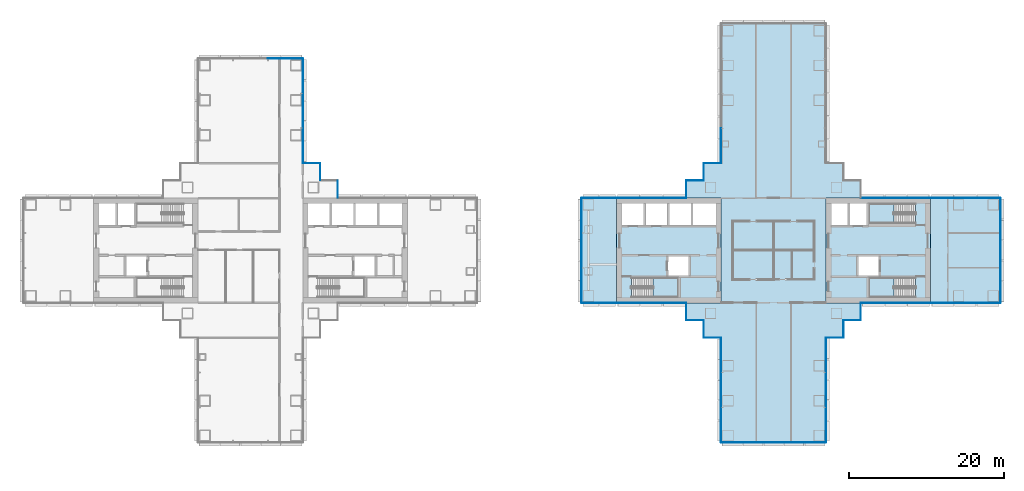
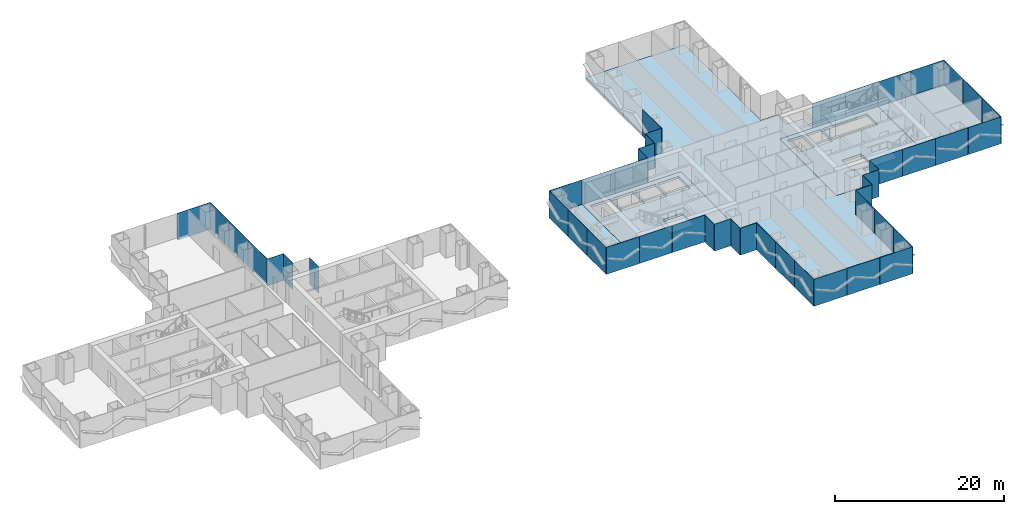
# One storey, part 11 of 21: 49 plates, 8 slabs, 23 elements without a shape of their own.
"""IFC4 building model written with IfcOpenShell, lengths in metres."""

from ifc_helpers import new_model, si_unit, direction, frame, origin, origin_2d, place, context, subcontext, project, spatial, polyline, rectangle, outline, extrude, material, layer, layer_set, type_object, element, aggregate, save


model = new_model("IFC4")

# Units and contexts
model_context = context("Model", 3, precision=1e-05, world=origin(), true_north=direction((0.0, 1.0)))
body_context = subcontext(model_context, "Body", "Model", "MODEL_VIEW")
ifc_project = project(units=[si_unit("LENGTHUNIT", "METRE"), si_unit("AREAUNIT", "SQUARE_METRE"), si_unit("VOLUMEUNIT", "CUBIC_METRE"), si_unit("PLANEANGLEUNIT", "RADIAN"), si_unit("MASSUNIT", "GRAM", prefix="KILO")], contexts=[model_context])

# Site, building, storey
site_placement = place(None, origin())
site = spatial("IfcSite", under=ifc_project, at=site_placement, CompositionType="ELEMENT")
building_placement = place(site_placement, origin())
building = spatial("IfcBuilding", under=site, at=building_placement, Name="Shamsa Quay Exchange Towers", CompositionType="ELEMENT")
storey_placement = place(building_placement, frame((0.0, 0.0, 57.60009765625)))
storey = spatial("IfcBuildingStorey", under=building, at=storey_placement, Name="L12", CompositionType="ELEMENT", Elevation=57.60009765625)

# Slabs
ifc_material_1 = material(Name="Concrete C50/60", Category="concrete")
ifc_layer_1 = layer(ifc_material_1, 0.35009765625)
ifc_layer_set_1 = layer_set([ifc_layer_1], Name="CORE FLOOR 350 C50/60")
slab_type_1 = type_object("IfcSlabType", Name="CORE FLOOR 350 C50/60", PredefinedType="FLOOR", material=ifc_layer_set_1)
slab_1_placement = place(storey_placement, frame((0.0, 0.0, -0.35009765625)))
element("IfcSlab", 1, at=slab_1_placement, inside=storey, type_object=slab_type_1, Name="Core floor T2A", PredefinedType="FLOOR", context=body_context, shape_type="SweptSolid", body=[
    extrude(outline(polyline([(13.5, -6.75), (27.0, -6.75), (27.0, 6.75), (13.5, 6.75), (13.5, -6.75)]), holes=[polyline([(15.400634765625, -6.050048828125), (15.400634765625, -3.5), (21.5, -3.5), (21.5, -6.050048828125), (15.400634765625, -6.050048828125)]), polyline([(14.199951171875, 3.25), (14.199951171875, 6.050048828125), (17.0, 6.050048828125), (17.0, 3.25), (14.199951171875, 3.25)]), polyline([(17.25, 3.25), (17.25, 6.050048828125), (20.050048828125, 6.050048828125), (20.050048828125, 3.25), (17.25, 3.25)]), polyline([(20.300048828125, 3.25), (20.300048828125, 6.050048828125), (23.10009765625, 6.050048828125), (23.10009765625, 3.25), (20.300048828125, 3.25)]), polyline([(23.35009765625, 3.25), (23.35009765625, 6.050048828125), (26.300048828125, 6.050048828125), (26.300048828125, 3.25), (23.35009765625, 3.25)]), polyline([(20.14990234375, -3.25), (20.14990234375, -0.75), (22.800048828125, -0.75), (22.800048828125, -3.25), (20.14990234375, -3.25)])]), origin(), (0.0, 0.0, 1.0), 0.35009765625),
])
slab_2_placement = place(storey_placement, frame((0.0, 0.0, -0.35009765625)))
element("IfcSlab", 2, at=slab_2_placement, inside=storey, type_object=slab_type_1, Name="Core floor T2B", PredefinedType="FLOOR", context=body_context, shape_type="SweptSolid", body=[
    extrude(outline(polyline([(54.0, -6.75), (54.0, 6.75), (40.5, 6.75), (40.5, -6.75), (54.0, -6.75)]), holes=[polyline([(52.099365234375, -3.5), (52.099365234375, -6.050048828125), (46.0, -6.050048828125), (46.0, -3.5), (52.099365234375, -3.5)]), polyline([(52.099365234375, 6.050048828125), (52.099365234375, 3.5), (46.0, 3.5), (46.0, 6.050048828125), (52.099365234375, 6.050048828125)]), polyline([(45.75, 3.25), (43.60009765625, 3.25), (43.60009765625, 6.050048828125), (45.75, 6.050048828125), (45.75, 3.25)]), polyline([(43.35009765625, 3.25), (41.199951171875, 3.25), (41.199951171875, 6.050048828125), (43.35009765625, 6.050048828125), (43.35009765625, 3.25)]), polyline([(47.35009765625, -3.25), (44.699951171875, -3.25), (44.699951171875, -0.75), (47.35009765625, -0.75), (47.35009765625, -3.25)])]), origin(), (0.0, 0.0, 1.0), 0.35009765625),
])

# Stair, slab
ifc_material_2 = material(Name="Concrete C40/50", Category="concrete")
stair_type = type_object("IfcStairType", Name="EXIT STAIR 22 RISERS 177 MM", PredefinedType="HALF_TURN_STAIR", material=ifc_material_2)
stair_1_placement = place(storey_placement, origin())
stair_1 = element("IfcStair", 3, at=stair_1_placement, inside=storey, type_object=stair_type, Name="L12 Exit stair ST4", PredefinedType="HALF_TURN_STAIR")
ifc_layer_2 = layer(ifc_material_2, 0.199951171875)
ifc_layer_set_2 = layer_set([ifc_layer_2], Name="CORE STAIR LANDING")
slab_type_2 = type_object("IfcSlabType", Name="CORE STAIR LANDING", PredefinedType="LANDING", material=ifc_layer_set_2)
slab_3_placement = place(storey_placement, frame((0.0, 0.0, 1.75)))
slab_3 = element("IfcSlab", 4, at=slab_3_placement, type_object=slab_type_2, Name="ST4 landing 1", PredefinedType="LANDING", context=body_context, shape_type="SweptSolid", body=[
    extrude(outline(polyline([(18.199951171875, -6.050048828125), (21.5, -6.050048828125), (21.5, -3.5), (18.199951171875, -3.5), (18.199951171875, -6.050048828125)])), origin(), (0.0, 0.0, 1.0), 0.199951171875),
])
aggregate(stair_1, [slab_3])

stair_2_placement = place(storey_placement, origin())
stair_2 = element("IfcStair", 5, at=stair_2_placement, inside=storey, type_object=stair_type, Name="L12 Exit stair ST5", PredefinedType="HALF_TURN_STAIR")
slab_4_placement = place(storey_placement, frame((0.0, 0.0, 1.75)))
slab_4 = element("IfcSlab", 6, at=slab_4_placement, type_object=slab_type_2, Name="ST5 landing 1", PredefinedType="LANDING", context=body_context, shape_type="SweptSolid", body=[
    extrude(outline(polyline([(49.300048828125, -3.5), (46.0, -3.5), (46.0, -6.050048828125), (49.300048828125, -6.050048828125), (49.300048828125, -3.5)])), origin(), (0.0, 0.0, 1.0), 0.199951171875),
])
aggregate(stair_2, [slab_4])

stair_3_placement = place(storey_placement, origin())
stair_3 = element("IfcStair", 7, at=stair_3_placement, inside=storey, type_object=stair_type, Name="L12 Exit stair ST6", PredefinedType="HALF_TURN_STAIR")
slab_5_placement = place(storey_placement, frame((0.0, 0.0, 1.75)))
slab_5 = element("IfcSlab", 8, at=slab_5_placement, type_object=slab_type_2, Name="ST6 landing 1", PredefinedType="LANDING", context=body_context, shape_type="SweptSolid", body=[
    extrude(outline(polyline([(49.300048828125, 6.050048828125), (46.0, 6.050048828125), (46.0, 3.5), (49.300048828125, 3.5), (49.300048828125, 6.050048828125)])), origin(), (0.0, 0.0, 1.0), 0.199951171875),
])
aggregate(stair_3, [slab_5])

# Curtain wall, plates
ifc_material_3 = material(Name="Aluminium EN AW-6063 T6, black anodised", Category="aluminium")
ifc_layer_3 = layer(ifc_material_3, 0.280029296875)
ifc_layer_set_3 = layer_set([ifc_layer_3], Name="CW-1 UNITISED VISION GLASS")
curtain_wall_type_1 = type_object("IfcCurtainWallType", Name="CW-1 UNITISED VISION GLASS", PredefinedType="NOTDEFINED", material=ifc_layer_set_3)
curtain_wall_1_placement = place(storey_placement, origin())
curtain_wall_1 = element("IfcCurtainWall", 9, at=curtain_wall_1_placement, inside=storey, type_object=curtain_wall_type_1, Name="CW1 T1-FLK-V+E L12", PredefinedType="NOTDEFINED")
ifc_material_4 = material(Name="Glass, laminated, dark tinted", Category="glass")
ifc_layer_4 = layer(ifc_material_4, 0.0400390625)
ifc_layer_set_4 = layer_set([ifc_layer_4], Name="CW-1 VISION GLASS 40")
plate_type_1 = type_object("IfcPlateType", Name="CW-1 VISION GLASS 40", PredefinedType="CURTAIN_PANEL", material=ifc_layer_set_4)
plate_1_placement = place(storey_placement, frame((-26.97998046875, 13.529052734375, -0.35009765625), z_axis=(0.0, 0.0, 1.0), x_axis=(0.0, 1.0, 0.0)))
plate_1 = element("IfcPlate", 10, at=plate_1_placement, type_object=plate_type_1, Name="CW1 glass panel", PredefinedType="CURTAIN_PANEL", context=body_context, shape_type="SweptSolid", body=[
    extrude(rectangle(XDim=4.482421875, YDim=0.0400390625, at=origin_2d()), origin(), (0.0, 0.0, 1.0), 3.89990234375),
])
plate_2_placement = place(storey_placement, frame((-26.97998046875, 18.01904296875, -0.35009765625), z_axis=(0.0, 0.0, 1.0), x_axis=(0.0, 1.0, 0.0)))
plate_2 = element("IfcPlate", 11, at=plate_2_placement, type_object=plate_type_1, Name="CW1 glass panel", PredefinedType="CURTAIN_PANEL", context=body_context, shape_type="SweptSolid", body=[
    extrude(rectangle(XDim=4.477294921875, YDim=0.0400390625, at=origin_2d()), origin(), (0.0, 0.0, 1.0), 3.89990234375),
])
plate_3_placement = place(storey_placement, frame((-26.97998046875, 22.5087890625, -0.35009765625), z_axis=(0.0, 0.0, 1.0), x_axis=(0.0, 1.0, 0.0)))
plate_3 = element("IfcPlate", 12, at=plate_3_placement, type_object=plate_type_1, Name="CW1 glass panel", PredefinedType="CURTAIN_PANEL", context=body_context, shape_type="SweptSolid", body=[
    extrude(rectangle(XDim=4.482421875, YDim=0.0400390625, at=origin_2d()), origin(), (0.0, 0.0, 1.0), 3.89990234375),
])
aggregate(curtain_wall_1, [plate_1, plate_2, plate_3])

# Curtain wall, plate
curtain_wall_2_placement = place(storey_placement, origin())
curtain_wall_2 = element("IfcCurtainWall", 13, at=curtain_wall_2_placement, inside=storey, type_object=curtain_wall_type_1, Name="CW1 T1-END-V+ L12", PredefinedType="NOTDEFINED")
plate_4_placement = place(storey_placement, frame((-29.24755859375, 24.77001953125, -0.35009765625), z_axis=(0.0, 0.0, 1.0), x_axis=(-1.0, 0.0, 0.0)))
plate_4 = element("IfcPlate", 14, at=plate_4_placement, type_object=plate_type_1, Name="CW1 glass panel", PredefinedType="CURTAIN_PANEL", context=body_context, shape_type="SweptSolid", body=[
    extrude(rectangle(XDim=4.4951171875, YDim=0.0400390625, at=origin_2d()), origin(), (0.0, 0.0, 1.0), 3.89990234375),
])
aggregate(curtain_wall_2, [plate_4])

# Curtain wall, plates
curtain_wall_3_placement = place(storey_placement, origin())
curtain_wall_3 = element("IfcCurtainWall", 15, at=curtain_wall_3_placement, inside=storey, type_object=curtain_wall_type_1, Name="CW1 T2-FLK-V-W L12", PredefinedType="NOTDEFINED")
plate_5_placement = place(storey_placement, frame((56.24755859375, -6.77001953125, -0.35009765625)))
plate_5 = element("IfcPlate", 16, at=plate_5_placement, type_object=plate_type_1, Name="CW1 glass panel", PredefinedType="CURTAIN_PANEL", context=body_context, shape_type="SweptSolid", body=[
    extrude(rectangle(XDim=4.4951171875, YDim=0.0400390625, at=origin_2d()), origin(), (0.0, 0.0, 1.0), 3.89990234375),
])
plate_6_placement = place(storey_placement, frame((60.75244140625, -6.77001953125, -0.35009765625)))
plate_6 = element("IfcPlate", 17, at=plate_6_placement, type_object=plate_type_1, Name="CW1 glass panel", PredefinedType="CURTAIN_PANEL", context=body_context, shape_type="SweptSolid", body=[
    extrude(rectangle(XDim=4.4951171875, YDim=0.0400390625, at=origin_2d()), origin(), (0.0, 0.0, 1.0), 3.89990234375),
])
aggregate(curtain_wall_3, [plate_5, plate_6])

curtain_wall_4_placement = place(storey_placement, origin())
curtain_wall_4 = element("IfcCurtainWall", 18, at=curtain_wall_4_placement, inside=storey, type_object=curtain_wall_type_1, Name="CW1 T2-END-V- L12", PredefinedType="NOTDEFINED")
plate_7_placement = place(storey_placement, frame((63.02001953125, -4.50244140625, -0.35009765625), z_axis=(0.0, 0.0, 1.0), x_axis=(0.0, 1.0, 0.0)))
plate_7 = element("IfcPlate", 19, at=plate_7_placement, type_object=plate_type_1, Name="CW1 glass panel", PredefinedType="CURTAIN_PANEL", context=body_context, shape_type="SweptSolid", body=[
    extrude(rectangle(XDim=4.4951171875, YDim=0.0400390625, at=origin_2d()), origin(), (0.0, 0.0, 1.0), 3.89990234375),
])
plate_8_placement = place(storey_placement, frame((63.02001953125, 0.0, -0.35009765625), z_axis=(0.0, 0.0, 1.0), x_axis=(0.0, 1.0, 0.0)))
plate_8 = element("IfcPlate", 20, at=plate_8_placement, type_object=plate_type_1, Name="CW1 glass panel", PredefinedType="CURTAIN_PANEL", context=body_context, shape_type="SweptSolid", body=[
    extrude(rectangle(XDim=4.489990234375, YDim=0.0400390625, at=origin_2d()), origin(), (0.0, 0.0, 1.0), 3.89990234375),
])
plate_9_placement = place(storey_placement, frame((63.02001953125, 4.50244140625, -0.35009765625), z_axis=(0.0, 0.0, 1.0), x_axis=(0.0, 1.0, 0.0)))
plate_9 = element("IfcPlate", 21, at=plate_9_placement, type_object=plate_type_1, Name="CW1 glass panel", PredefinedType="CURTAIN_PANEL", context=body_context, shape_type="SweptSolid", body=[
    extrude(rectangle(XDim=4.4951171875, YDim=0.0400390625, at=origin_2d()), origin(), (0.0, 0.0, 1.0), 3.89990234375),
])
aggregate(curtain_wall_4, [plate_7, plate_8, plate_9])

curtain_wall_5_placement = place(storey_placement, origin())
curtain_wall_5 = element("IfcCurtainWall", 22, at=curtain_wall_5_placement, inside=storey, type_object=curtain_wall_type_1, Name="CW1 T2-FLK-V-E L12", PredefinedType="NOTDEFINED")
plate_10_placement = place(storey_placement, frame((60.75244140625, 6.77001953125, -0.35009765625), z_axis=(0.0, 0.0, 1.0), x_axis=(-1.0, 0.0, 0.0)))
plate_10 = element("IfcPlate", 23, at=plate_10_placement, type_object=plate_type_1, Name="CW1 glass panel", PredefinedType="CURTAIN_PANEL", context=body_context, shape_type="SweptSolid", body=[
    extrude(rectangle(XDim=4.4951171875, YDim=0.0400390625, at=origin_2d()), origin(), (0.0, 0.0, 1.0), 3.89990234375),
])
plate_11_placement = place(storey_placement, frame((56.24755859375, 6.77001953125, -0.35009765625), z_axis=(0.0, 0.0, 1.0), x_axis=(-1.0, 0.0, 0.0)))
plate_11 = element("IfcPlate", 24, at=plate_11_placement, type_object=plate_type_1, Name="CW1 glass panel", PredefinedType="CURTAIN_PANEL", context=body_context, shape_type="SweptSolid", body=[
    extrude(rectangle(XDim=4.4951171875, YDim=0.0400390625, at=origin_2d()), origin(), (0.0, 0.0, 1.0), 3.89990234375),
])
aggregate(curtain_wall_5, [plate_10, plate_11])

# Curtain wall, plate
curtain_wall_6_placement = place(storey_placement, origin())
curtain_wall_6 = element("IfcCurtainWall", 25, at=curtain_wall_6_placement, inside=storey, type_object=curtain_wall_type_1, Name="CW1 T2-FLK-U+N L12", PredefinedType="NOTDEFINED")
plate_12_placement = place(storey_placement, frame((26.97998046875, 13.49755859375, -0.35009765625), z_axis=(0.0, 0.0, 1.0), x_axis=(0.0, -1.0, 0.0)))
plate_12 = element("IfcPlate", 26, at=plate_12_placement, type_object=plate_type_1, Name="CW1 glass panel", PredefinedType="CURTAIN_PANEL", context=body_context, shape_type="SweptSolid", body=[
    extrude(rectangle(XDim=4.4951171875, YDim=0.0400390625, at=origin_2d()), origin(), (0.0, 0.0, 1.0), 3.89990234375),
])
aggregate(curtain_wall_6, [plate_12])

curtain_wall_7_placement = place(storey_placement, origin())
curtain_wall_7 = element("IfcCurtainWall", 27, at=curtain_wall_7_placement, inside=storey, type_object=curtain_wall_type_1, Name="CW1 T2-FLK-V+E L12", PredefinedType="NOTDEFINED")
plate_13_placement = place(storey_placement, frame((11.25, 6.77001953125, -0.35009765625), z_axis=(0.0, 0.0, 1.0), x_axis=(-1.0, 0.0, 0.0)))
plate_13 = element("IfcPlate", 28, at=plate_13_placement, type_object=plate_type_1, Name="CW1 glass panel", PredefinedType="CURTAIN_PANEL", context=body_context, shape_type="SweptSolid", body=[
    extrude(rectangle(XDim=4.5, YDim=0.0400390625, at=origin_2d()), origin(), (0.0, 0.0, 1.0), 3.89990234375),
])
aggregate(curtain_wall_7, [plate_13])

# Curtain wall, plates
curtain_wall_8_placement = place(storey_placement, origin())
curtain_wall_8 = element("IfcCurtainWall", 29, at=curtain_wall_8_placement, inside=storey, type_object=curtain_wall_type_1, Name="CW1 T2-END-V+ L12", PredefinedType="NOTDEFINED")
plate_14_placement = place(storey_placement, frame((8.97998046875, 4.50244140625, -0.35009765625), z_axis=(0.0, 0.0, 1.0), x_axis=(0.0, -1.0, 0.0)))
plate_14 = element("IfcPlate", 30, at=plate_14_placement, type_object=plate_type_1, Name="CW1 glass panel", PredefinedType="CURTAIN_PANEL", context=body_context, shape_type="SweptSolid", body=[
    extrude(rectangle(XDim=4.4951171875, YDim=0.0400390625, at=origin_2d()), origin(), (0.0, 0.0, 1.0), 3.89990234375),
])
plate_15_placement = place(storey_placement, frame((8.97998046875, 0.0, -0.35009765625), z_axis=(0.0, 0.0, 1.0), x_axis=(0.0, -1.0, 0.0)))
plate_15 = element("IfcPlate", 31, at=plate_15_placement, type_object=plate_type_1, Name="CW1 glass panel", PredefinedType="CURTAIN_PANEL", context=body_context, shape_type="SweptSolid", body=[
    extrude(rectangle(XDim=4.489990234375, YDim=0.0400390625, at=origin_2d()), origin(), (0.0, 0.0, 1.0), 3.89990234375),
])
plate_16_placement = place(storey_placement, frame((8.97998046875, -4.50244140625, -0.35009765625), z_axis=(0.0, 0.0, 1.0), x_axis=(0.0, -1.0, 0.0)))
plate_16 = element("IfcPlate", 32, at=plate_16_placement, type_object=plate_type_1, Name="CW1 glass panel", PredefinedType="CURTAIN_PANEL", context=body_context, shape_type="SweptSolid", body=[
    extrude(rectangle(XDim=4.4951171875, YDim=0.0400390625, at=origin_2d()), origin(), (0.0, 0.0, 1.0), 3.89990234375),
])
aggregate(curtain_wall_8, [plate_14, plate_15, plate_16])

# Curtain wall, plate
curtain_wall_9_placement = place(storey_placement, origin())
curtain_wall_9 = element("IfcCurtainWall", 33, at=curtain_wall_9_placement, inside=storey, type_object=curtain_wall_type_1, Name="CW1 T2-FLK-V+W L12", PredefinedType="NOTDEFINED")
plate_17_placement = place(storey_placement, frame((11.25, -6.77001953125, -0.35009765625)))
plate_17 = element("IfcPlate", 34, at=plate_17_placement, type_object=plate_type_1, Name="CW1 glass panel", PredefinedType="CURTAIN_PANEL", context=body_context, shape_type="SweptSolid", body=[
    extrude(rectangle(XDim=4.5, YDim=0.0400390625, at=origin_2d()), origin(), (0.0, 0.0, 1.0), 3.89990234375),
])
aggregate(curtain_wall_9, [plate_17])

# Curtain wall, plates
curtain_wall_10_placement = place(storey_placement, origin())
curtain_wall_10 = element("IfcCurtainWall", 35, at=curtain_wall_10_placement, inside=storey, type_object=curtain_wall_type_1, Name="CW1 T2-FLK-U-N L12", PredefinedType="NOTDEFINED")
plate_18_placement = place(storey_placement, frame((26.97998046875, -13.529052734375, -0.35009765625), z_axis=(0.0, 0.0, 1.0), x_axis=(0.0, -1.0, 0.0)))
plate_18 = element("IfcPlate", 36, at=plate_18_placement, type_object=plate_type_1, Name="CW1 glass panel", PredefinedType="CURTAIN_PANEL", context=body_context, shape_type="SweptSolid", body=[
    extrude(rectangle(XDim=4.482421875, YDim=0.0400390625, at=origin_2d()), origin(), (0.0, 0.0, 1.0), 3.89990234375),
])
plate_19_placement = place(storey_placement, frame((26.97998046875, -18.01904296875, -0.35009765625), z_axis=(0.0, 0.0, 1.0), x_axis=(0.0, -1.0, 0.0)))
plate_19 = element("IfcPlate", 37, at=plate_19_placement, type_object=plate_type_1, Name="CW1 glass panel", PredefinedType="CURTAIN_PANEL", context=body_context, shape_type="SweptSolid", body=[
    extrude(rectangle(XDim=4.477294921875, YDim=0.0400390625, at=origin_2d()), origin(), (0.0, 0.0, 1.0), 3.89990234375),
])
plate_20_placement = place(storey_placement, frame((26.97998046875, -22.5087890625, -0.35009765625), z_axis=(0.0, 0.0, 1.0), x_axis=(0.0, -1.0, 0.0)))
plate_20 = element("IfcPlate", 38, at=plate_20_placement, type_object=plate_type_1, Name="CW1 glass panel", PredefinedType="CURTAIN_PANEL", context=body_context, shape_type="SweptSolid", body=[
    extrude(rectangle(XDim=4.482421875, YDim=0.0400390625, at=origin_2d()), origin(), (0.0, 0.0, 1.0), 3.89990234375),
])
aggregate(curtain_wall_10, [plate_18, plate_19, plate_20])

curtain_wall_11_placement = place(storey_placement, origin())
curtain_wall_11 = element("IfcCurtainWall", 39, at=curtain_wall_11_placement, inside=storey, type_object=curtain_wall_type_1, Name="CW1 T2-END-U- L12", PredefinedType="NOTDEFINED")
plate_21_placement = place(storey_placement, frame((29.24755859375, -24.77001953125, -0.35009765625)))
plate_21 = element("IfcPlate", 40, at=plate_21_placement, type_object=plate_type_1, Name="CW1 glass panel", PredefinedType="CURTAIN_PANEL", context=body_context, shape_type="SweptSolid", body=[
    extrude(rectangle(XDim=4.4951171875, YDim=0.0400390625, at=origin_2d()), origin(), (0.0, 0.0, 1.0), 3.89990234375),
])
plate_22_placement = place(storey_placement, frame((33.75, -24.77001953125, -0.35009765625)))
plate_22 = element("IfcPlate", 41, at=plate_22_placement, type_object=plate_type_1, Name="CW1 glass panel", PredefinedType="CURTAIN_PANEL", context=body_context, shape_type="SweptSolid", body=[
    extrude(rectangle(XDim=4.489990234375, YDim=0.0400390625, at=origin_2d()), origin(), (0.0, 0.0, 1.0), 3.89990234375),
])
plate_23_placement = place(storey_placement, frame((38.25244140625, -24.77001953125, -0.35009765625)))
plate_23 = element("IfcPlate", 42, at=plate_23_placement, type_object=plate_type_1, Name="CW1 glass panel", PredefinedType="CURTAIN_PANEL", context=body_context, shape_type="SweptSolid", body=[
    extrude(rectangle(XDim=4.4951171875, YDim=0.0400390625, at=origin_2d()), origin(), (0.0, 0.0, 1.0), 3.89990234375),
])
aggregate(curtain_wall_11, [plate_21, plate_22, plate_23])

curtain_wall_12_placement = place(storey_placement, origin())
curtain_wall_12 = element("IfcCurtainWall", 43, at=curtain_wall_12_placement, inside=storey, type_object=curtain_wall_type_1, Name="CW1 T2-FLK-U-S L12", PredefinedType="NOTDEFINED")
plate_24_placement = place(storey_placement, frame((40.52001953125, -22.50244140625, -0.35009765625), z_axis=(0.0, 0.0, 1.0), x_axis=(0.0, 1.0, 0.0)))
plate_24 = element("IfcPlate", 44, at=plate_24_placement, type_object=plate_type_1, Name="CW1 glass panel", PredefinedType="CURTAIN_PANEL", context=body_context, shape_type="SweptSolid", body=[
    extrude(rectangle(XDim=4.4951171875, YDim=0.0400390625, at=origin_2d()), origin(), (0.0, 0.0, 1.0), 3.89990234375),
])
plate_25_placement = place(storey_placement, frame((40.52001953125, -18.0, -0.35009765625), z_axis=(0.0, 0.0, 1.0), x_axis=(0.0, 1.0, 0.0)))
plate_25 = element("IfcPlate", 45, at=plate_25_placement, type_object=plate_type_1, Name="CW1 glass panel", PredefinedType="CURTAIN_PANEL", context=body_context, shape_type="SweptSolid", body=[
    extrude(rectangle(XDim=4.489990234375, YDim=0.0400390625, at=origin_2d()), origin(), (0.0, 0.0, 1.0), 3.89990234375),
])
plate_26_placement = place(storey_placement, frame((40.52001953125, -13.49755859375, -0.35009765625), z_axis=(0.0, 0.0, 1.0), x_axis=(0.0, 1.0, 0.0)))
plate_26 = element("IfcPlate", 46, at=plate_26_placement, type_object=plate_type_1, Name="CW1 glass panel", PredefinedType="CURTAIN_PANEL", context=body_context, shape_type="SweptSolid", body=[
    extrude(rectangle(XDim=4.4951171875, YDim=0.0400390625, at=origin_2d()), origin(), (0.0, 0.0, 1.0), 3.89990234375),
])
aggregate(curtain_wall_12, [plate_24, plate_25, plate_26])

ifc_layer_5 = layer(ifc_material_3, 0.303955078125)
ifc_layer_set_5 = layer_set([ifc_layer_5], Name="CW-2 UNITISED OPAQUE SPANDREL GLASS")
curtain_wall_type_2 = type_object("IfcCurtainWallType", Name="CW-2 UNITISED OPAQUE SPANDREL GLASS", PredefinedType="NOTDEFINED", material=ifc_layer_set_5)
curtain_wall_13_placement = place(storey_placement, origin())
curtain_wall_13 = element("IfcCurtainWall", 47, at=curtain_wall_13_placement, inside=storey, type_object=curtain_wall_type_2, Name="CW2 T2-FLK-V-W L12", PredefinedType="NOTDEFINED")
ifc_material_5 = material(Name="Glass, laminated, black enamelled opaque", Category="glass")
ifc_layer_6 = layer(ifc_material_5, 0.0439453125)
ifc_layer_set_6 = layer_set([ifc_layer_6], Name="CW-2 SPANDREL GLASS 44")
plate_type_2 = type_object("IfcPlateType", Name="CW-2 SPANDREL GLASS 44", PredefinedType="CURTAIN_PANEL", material=ifc_layer_set_6)
plate_27_placement = place(storey_placement, frame((47.27587890625, -6.77197265625, -0.35009765625)))
plate_27 = element("IfcPlate", 48, at=plate_27_placement, type_object=plate_type_2, Name="CW2 glass panel", PredefinedType="CURTAIN_PANEL", context=body_context, shape_type="SweptSolid", body=[
    extrude(rectangle(XDim=4.47607421875, YDim=0.0439453125, at=origin_2d()), origin(), (0.0, 0.0, 1.0), 3.89990234375),
])
plate_28_placement = place(storey_placement, frame((51.761962890625, -6.77197265625, -0.35009765625)))
plate_28 = element("IfcPlate", 49, at=plate_28_placement, type_object=plate_type_2, Name="CW2 glass panel", PredefinedType="CURTAIN_PANEL", context=body_context, shape_type="SweptSolid", body=[
    extrude(rectangle(XDim=4.47607421875, YDim=0.0439453125, at=origin_2d()), origin(), (0.0, 0.0, 1.0), 3.89990234375),
])
aggregate(curtain_wall_13, [plate_27, plate_28])

curtain_wall_14_placement = place(storey_placement, origin())
curtain_wall_14 = element("IfcCurtainWall", 50, at=curtain_wall_14_placement, inside=storey, type_object=curtain_wall_type_2, Name="CW2 T2-FLK-V-E L12", PredefinedType="NOTDEFINED")
plate_29_placement = place(storey_placement, frame((51.75244140625, 6.77197265625, -0.35009765625), z_axis=(0.0, 0.0, 1.0), x_axis=(-1.0, 0.0, 0.0)))
plate_29 = element("IfcPlate", 51, at=plate_29_placement, type_object=plate_type_2, Name="CW2 glass panel", PredefinedType="CURTAIN_PANEL", context=body_context, shape_type="SweptSolid", body=[
    extrude(rectangle(XDim=4.4951171875, YDim=0.0439453125, at=origin_2d()), origin(), (0.0, 0.0, 1.0), 3.89990234375),
])
plate_30_placement = place(storey_placement, frame((47.24755859375, 6.77197265625, -0.35009765625), z_axis=(0.0, 0.0, 1.0), x_axis=(-1.0, 0.0, 0.0)))
plate_30 = element("IfcPlate", 52, at=plate_30_placement, type_object=plate_type_2, Name="CW2 glass panel", PredefinedType="CURTAIN_PANEL", context=body_context, shape_type="SweptSolid", body=[
    extrude(rectangle(XDim=4.4951171875, YDim=0.0439453125, at=origin_2d()), origin(), (0.0, 0.0, 1.0), 3.89990234375),
])
aggregate(curtain_wall_14, [plate_29, plate_30])

curtain_wall_15_placement = place(storey_placement, origin())
curtain_wall_15 = element("IfcCurtainWall", 53, at=curtain_wall_15_placement, inside=storey, type_object=curtain_wall_type_2, Name="CW2 T2-FLK-V+E L12", PredefinedType="NOTDEFINED")
plate_31_placement = place(storey_placement, frame((20.22412109375, 6.77197265625, -0.35009765625), z_axis=(0.0, 0.0, 1.0), x_axis=(-1.0, 0.0, 0.0)))
plate_31 = element("IfcPlate", 54, at=plate_31_placement, type_object=plate_type_2, Name="CW2 glass panel", PredefinedType="CURTAIN_PANEL", context=body_context, shape_type="SweptSolid", body=[
    extrude(rectangle(XDim=4.47607421875, YDim=0.0439453125, at=origin_2d()), origin(), (0.0, 0.0, 1.0), 3.89990234375),
])
plate_32_placement = place(storey_placement, frame((15.738037109375, 6.77197265625, -0.35009765625), z_axis=(0.0, 0.0, 1.0), x_axis=(-1.0, 0.0, 0.0)))
plate_32 = element("IfcPlate", 55, at=plate_32_placement, type_object=plate_type_2, Name="CW2 glass panel", PredefinedType="CURTAIN_PANEL", context=body_context, shape_type="SweptSolid", body=[
    extrude(rectangle(XDim=4.47607421875, YDim=0.0439453125, at=origin_2d()), origin(), (0.0, 0.0, 1.0), 3.89990234375),
])
aggregate(curtain_wall_15, [plate_31, plate_32])

curtain_wall_16_placement = place(storey_placement, origin())
curtain_wall_16 = element("IfcCurtainWall", 56, at=curtain_wall_16_placement, inside=storey, type_object=curtain_wall_type_2, Name="CW2 T2-FLK-V+W L12", PredefinedType="NOTDEFINED")
plate_33_placement = place(storey_placement, frame((15.74755859375, -6.77197265625, -0.35009765625)))
plate_33 = element("IfcPlate", 57, at=plate_33_placement, type_object=plate_type_2, Name="CW2 glass panel", PredefinedType="CURTAIN_PANEL", context=body_context, shape_type="SweptSolid", body=[
    extrude(rectangle(XDim=4.4951171875, YDim=0.0439453125, at=origin_2d()), origin(), (0.0, 0.0, 1.0), 3.89990234375),
])
plate_34_placement = place(storey_placement, frame((20.25244140625, -6.77197265625, -0.35009765625)))
plate_34 = element("IfcPlate", 58, at=plate_34_placement, type_object=plate_type_2, Name="CW2 glass panel", PredefinedType="CURTAIN_PANEL", context=body_context, shape_type="SweptSolid", body=[
    extrude(rectangle(XDim=4.4951171875, YDim=0.0439453125, at=origin_2d()), origin(), (0.0, 0.0, 1.0), 3.89990234375),
])
aggregate(curtain_wall_16, [plate_33, plate_34])

ifc_layer_7 = layer(ifc_material_3, 0.256103515625)
ifc_layer_set_7 = layer_set([ifc_layer_7], Name="CW-4 POCKET SERRATED GLAZING")
curtain_wall_type_3 = type_object("IfcCurtainWallType", Name="CW-4 POCKET SERRATED GLAZING", PredefinedType="NOTDEFINED", material=ifc_layer_set_7)
curtain_wall_17_placement = place(storey_placement, origin())
curtain_wall_17 = element("IfcCurtainWall", 59, at=curtain_wall_17_placement, inside=storey, type_object=curtain_wall_type_3, Name="CW4 PKEN L12", PredefinedType="NOTDEFINED")
ifc_layer_8 = layer(ifc_material_4, 0.035888671875)
ifc_layer_set_8 = layer_set([ifc_layer_8], Name="CW-4 POCKET GLASS 36")
plate_type_3 = type_object("IfcPlateType", Name="CW-4 POCKET GLASS 36", PredefinedType="CURTAIN_PANEL", material=ifc_layer_set_8)
plate_35_placement = place(storey_placement, frame((-22.48193359375, 7.89794921875, -0.35009765625), z_axis=(0.0, 0.0, 1.0), x_axis=(0.0, 1.0, 0.0)))
plate_35 = element("IfcPlate", 60, at=plate_35_placement, type_object=plate_type_3, Name="CW4 glass panel", PredefinedType="CURTAIN_PANEL", context=body_context, shape_type="SweptSolid", body=[
    extrude(rectangle(XDim=2.2041015625, YDim=0.035888671875, at=origin_2d()), origin(), (0.0, 0.0, 1.0), 3.89990234375),
])
plate_36_placement = place(storey_placement, frame((-24.73193359375, 10.14404296875, -0.35009765625), z_axis=(0.0, 0.0, 1.0), x_axis=(0.0, 1.0, 0.0)))
plate_36 = element("IfcPlate", 61, at=plate_36_placement, type_object=plate_type_3, Name="CW4 glass panel", PredefinedType="CURTAIN_PANEL", context=body_context, shape_type="SweptSolid", body=[
    extrude(rectangle(XDim=2.2119140625, YDim=0.035888671875, at=origin_2d()), origin(), (0.0, 0.0, 1.0), 3.89990234375),
])
plate_37_placement = place(storey_placement, frame((-25.875, 11.26806640625, -0.35009765625), z_axis=(0.0, 0.0, 1.0), x_axis=(-1.0, 0.0, 0.0)))
plate_37 = element("IfcPlate", 62, at=plate_37_placement, type_object=plate_type_3, Name="CW4 glass panel", PredefinedType="CURTAIN_PANEL", context=body_context, shape_type="SweptSolid", body=[
    extrude(rectangle(XDim=2.25, YDim=0.035888671875, at=origin_2d()), origin(), (0.0, 0.0, 1.0), 3.89990234375),
])
aggregate(curtain_wall_17, [plate_35, plate_36, plate_37])

curtain_wall_18_placement = place(storey_placement, origin())
curtain_wall_18 = element("IfcCurtainWall", 63, at=curtain_wall_18_placement, inside=storey, type_object=curtain_wall_type_3, Name="CW4 PKWS L12", PredefinedType="NOTDEFINED")
plate_38_placement = place(storey_placement, frame((43.89404296875, -9.01806640625, -0.35009765625)))
plate_38 = element("IfcPlate", 64, at=plate_38_placement, type_object=plate_type_3, Name="CW4 glass panel", PredefinedType="CURTAIN_PANEL", context=body_context, shape_type="SweptSolid", body=[
    extrude(rectangle(XDim=2.2119140625, YDim=0.035888671875, at=origin_2d()), origin(), (0.0, 0.0, 1.0), 3.89990234375),
])
plate_39_placement = place(storey_placement, frame((45.01806640625, -7.875, -0.35009765625), z_axis=(0.0, 0.0, 1.0), x_axis=(0.0, 1.0, 0.0)))
plate_39 = element("IfcPlate", 65, at=plate_39_placement, type_object=plate_type_3, Name="CW4 glass panel", PredefinedType="CURTAIN_PANEL", context=body_context, shape_type="SweptSolid", body=[
    extrude(rectangle(XDim=2.25, YDim=0.035888671875, at=origin_2d()), origin(), (0.0, 0.0, 1.0), 3.89990234375),
])
plate_40_placement = place(storey_placement, frame((41.64599609375, -11.26806640625, -0.35009765625)))
plate_40 = element("IfcPlate", 66, at=plate_40_placement, type_object=plate_type_3, Name="CW4 glass panel", PredefinedType="CURTAIN_PANEL", context=body_context, shape_type="SweptSolid", body=[
    extrude(rectangle(XDim=2.2080078125, YDim=0.035888671875, at=origin_2d()), origin(), (0.0, 0.0, 1.0), 3.89990234375),
])
plate_41_placement = place(storey_placement, frame((42.76806640625, -10.125, -0.35009765625), z_axis=(0.0, 0.0, 1.0), x_axis=(0.0, 1.0, 0.0)))
plate_41 = element("IfcPlate", 67, at=plate_41_placement, type_object=plate_type_3, Name="CW4 glass panel", PredefinedType="CURTAIN_PANEL", context=body_context, shape_type="SweptSolid", body=[
    extrude(rectangle(XDim=2.25, YDim=0.035888671875, at=origin_2d()), origin(), (0.0, 0.0, 1.0), 3.89990234375),
])
aggregate(curtain_wall_18, [plate_38, plate_39, plate_40, plate_41])

curtain_wall_19_placement = place(storey_placement, origin())
curtain_wall_19 = element("IfcCurtainWall", 68, at=curtain_wall_19_placement, inside=storey, type_object=curtain_wall_type_3, Name="CW4 PKEN L12", PredefinedType="NOTDEFINED")
plate_42_placement = place(storey_placement, frame((25.85400390625, 11.26806640625, -0.35009765625), z_axis=(0.0, 0.0, 1.0), x_axis=(-1.0, 0.0, 0.0)))
plate_42 = element("IfcPlate", 69, at=plate_42_placement, type_object=plate_type_3, Name="CW4 glass panel", PredefinedType="CURTAIN_PANEL", context=body_context, shape_type="SweptSolid", body=[
    extrude(rectangle(XDim=2.2080078125, YDim=0.035888671875, at=origin_2d()), origin(), (0.0, 0.0, 1.0), 3.89990234375),
])
plate_43_placement = place(storey_placement, frame((24.73193359375, 10.125, -0.35009765625), z_axis=(0.0, 0.0, 1.0), x_axis=(0.0, -1.0, 0.0)))
plate_43 = element("IfcPlate", 70, at=plate_43_placement, type_object=plate_type_3, Name="CW4 glass panel", PredefinedType="CURTAIN_PANEL", context=body_context, shape_type="SweptSolid", body=[
    extrude(rectangle(XDim=2.25, YDim=0.035888671875, at=origin_2d()), origin(), (0.0, 0.0, 1.0), 3.89990234375),
])
plate_44_placement = place(storey_placement, frame((23.60595703125, 9.01806640625, -0.35009765625), z_axis=(0.0, 0.0, 1.0), x_axis=(-1.0, 0.0, 0.0)))
plate_44 = element("IfcPlate", 71, at=plate_44_placement, type_object=plate_type_3, Name="CW4 glass panel", PredefinedType="CURTAIN_PANEL", context=body_context, shape_type="SweptSolid", body=[
    extrude(rectangle(XDim=2.2119140625, YDim=0.035888671875, at=origin_2d()), origin(), (0.0, 0.0, 1.0), 3.89990234375),
])
plate_45_placement = place(storey_placement, frame((22.48193359375, 7.875, -0.35009765625), z_axis=(0.0, 0.0, 1.0), x_axis=(0.0, -1.0, 0.0)))
plate_45 = element("IfcPlate", 72, at=plate_45_placement, type_object=plate_type_3, Name="CW4 glass panel", PredefinedType="CURTAIN_PANEL", context=body_context, shape_type="SweptSolid", body=[
    extrude(rectangle(XDim=2.25, YDim=0.035888671875, at=origin_2d()), origin(), (0.0, 0.0, 1.0), 3.89990234375),
])
aggregate(curtain_wall_19, [plate_42, plate_43, plate_44, plate_45])

curtain_wall_20_placement = place(storey_placement, origin())
curtain_wall_20 = element("IfcCurtainWall", 73, at=curtain_wall_20_placement, inside=storey, type_object=curtain_wall_type_3, Name="CW4 PKWN L12", PredefinedType="NOTDEFINED")
plate_46_placement = place(storey_placement, frame((22.48193359375, -7.89794921875, -0.35009765625), z_axis=(0.0, 0.0, 1.0), x_axis=(0.0, -1.0, 0.0)))
plate_46 = element("IfcPlate", 74, at=plate_46_placement, type_object=plate_type_3, Name="CW4 glass panel", PredefinedType="CURTAIN_PANEL", context=body_context, shape_type="SweptSolid", body=[
    extrude(rectangle(XDim=2.2041015625, YDim=0.035888671875, at=origin_2d()), origin(), (0.0, 0.0, 1.0), 3.89990234375),
])
plate_47_placement = place(storey_placement, frame((23.625, -9.01806640625, -0.35009765625)))
plate_47 = element("IfcPlate", 75, at=plate_47_placement, type_object=plate_type_3, Name="CW4 glass panel", PredefinedType="CURTAIN_PANEL", context=body_context, shape_type="SweptSolid", body=[
    extrude(rectangle(XDim=2.25, YDim=0.035888671875, at=origin_2d()), origin(), (0.0, 0.0, 1.0), 3.89990234375),
])
plate_48_placement = place(storey_placement, frame((24.73193359375, -10.14404296875, -0.35009765625), z_axis=(0.0, 0.0, 1.0), x_axis=(0.0, -1.0, 0.0)))
plate_48 = element("IfcPlate", 76, at=plate_48_placement, type_object=plate_type_3, Name="CW4 glass panel", PredefinedType="CURTAIN_PANEL", context=body_context, shape_type="SweptSolid", body=[
    extrude(rectangle(XDim=2.2119140625, YDim=0.035888671875, at=origin_2d()), origin(), (0.0, 0.0, 1.0), 3.89990234375),
])
plate_49_placement = place(storey_placement, frame((25.875, -11.26806640625, -0.35009765625)))
plate_49 = element("IfcPlate", 77, at=plate_49_placement, type_object=plate_type_3, Name="CW4 glass panel", PredefinedType="CURTAIN_PANEL", context=body_context, shape_type="SweptSolid", body=[
    extrude(rectangle(XDim=2.25, YDim=0.035888671875, at=origin_2d()), origin(), (0.0, 0.0, 1.0), 3.89990234375),
])
aggregate(curtain_wall_20, [plate_46, plate_47, plate_48, plate_49])

# Slabs
ifc_layer_9 = layer(ifc_material_2, 0.35009765625)
ifc_layer_set_9 = layer_set([ifc_layer_9], Name="Flat slab 350")
slab_type_3 = type_object("IfcSlabType", Name="Flat slab 350", PredefinedType="FLOOR", material=ifc_layer_set_9)
slab_6_placement = place(storey_placement, frame((0.0, 0.0, -0.35009765625)))
element("IfcSlab", 78, at=slab_6_placement, inside=storey, type_object=slab_type_3, Name="Flat slab T2 L12 4", PredefinedType="FLOOR", context=body_context, shape_type="SweptSolid", body=[
    extrude(outline(polyline([(9.0, -6.75), (13.5, -6.75), (13.5, 6.75), (9.0, 6.75), (9.0, -6.75)])), origin(), (0.0, 0.0, 1.0), 0.35009765625),
])
slab_7_placement = place(storey_placement, frame((0.0, 0.0, -0.35009765625)))
element("IfcSlab", 79, at=slab_7_placement, inside=storey, type_object=slab_type_3, Name="Flat slab T2 L12 5", PredefinedType="FLOOR", context=body_context, shape_type="SweptSolid", body=[
    extrude(outline(polyline([(45.0, -9.0), (45.0, -6.75), (40.5, -6.75), (40.5, 6.75), (45.0, 6.75), (45.0, 9.0), (42.75, 9.0), (42.75, 11.25), (40.5, 11.25), (40.5, 29.25), (27.0, 29.25), (27.0, 11.25), (24.75, 11.25), (24.75, 9.0), (22.5, 9.0), (22.5, 6.75), (27.0, 6.75), (27.0, -6.75), (22.5, -6.75), (22.5, -9.0), (24.75, -9.0), (24.75, -11.25), (27.0, -11.25), (27.0, -24.75), (40.5, -24.75), (40.5, -11.25), (42.75, -11.25), (42.75, -9.0), (45.0, -9.0)])), origin(), (0.0, 0.0, 1.0), 0.35009765625),
])
slab_8_placement = place(storey_placement, frame((0.0, 0.0, -0.35009765625)))
element("IfcSlab", 80, at=slab_8_placement, inside=storey, type_object=slab_type_3, Name="Flat slab T2 L12 6", PredefinedType="FLOOR", context=body_context, shape_type="SweptSolid", body=[
    extrude(outline(polyline([(63.0, 6.75), (54.0, 6.75), (54.0, -6.75), (63.0, -6.75), (63.0, 6.75)])), origin(), (0.0, 0.0, 1.0), 0.35009765625),
])

save(model, "model.ifc")
